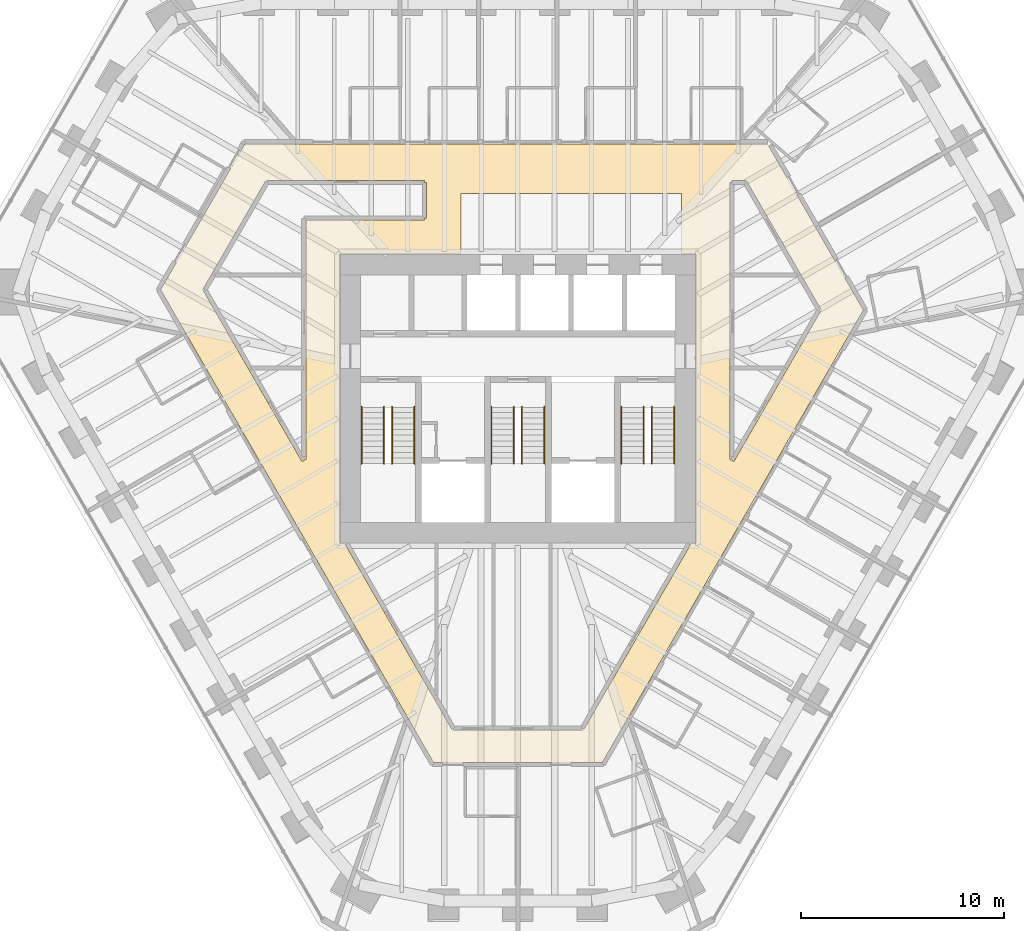
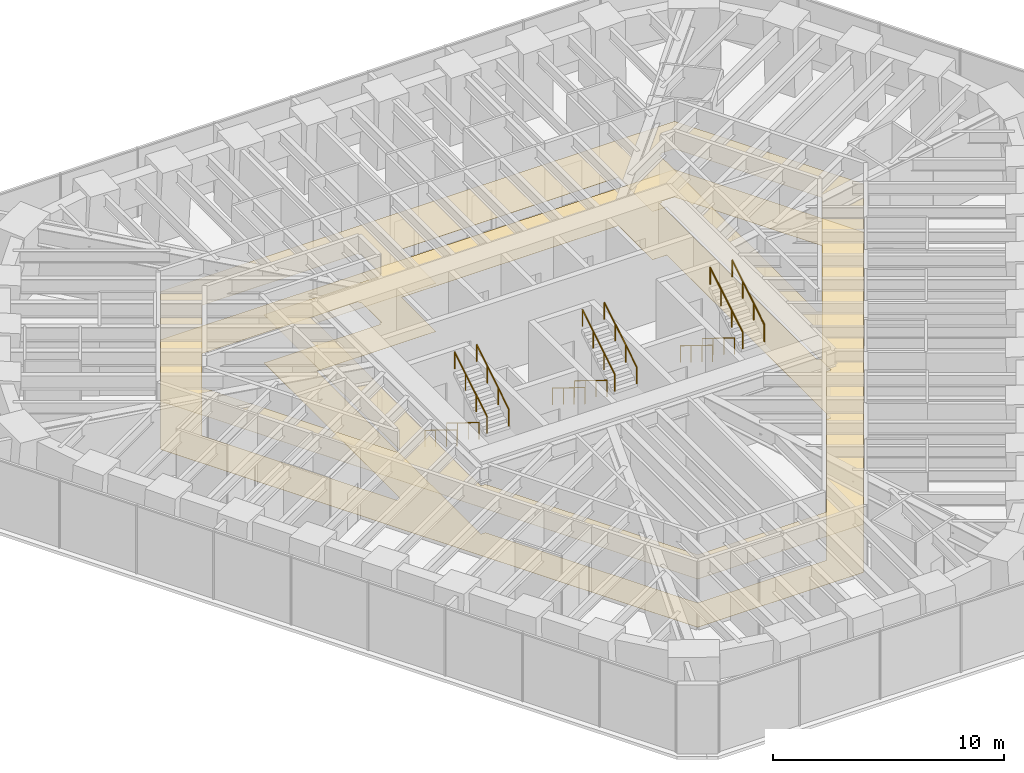
# One storey, part 17 of 17: 12 railings, 2 coverings.
"""IFC4 building model written with IfcOpenShell, lengths in metres."""

from ifc_helpers import new_model, si_unit, direction, frame, origin, origin_2d, place, context, subcontext, project, spatial, polyline, circle, outline, extrude, material, layer, layer_set, type_object, element, save


model = new_model("IFC4")

# Units and contexts
model_context = context("Model", 3, precision=1e-05, world=origin(), true_north=direction((0.0, 1.0)))
body_context = subcontext(model_context, "Body", "Model", "MODEL_VIEW")
ifc_project = project(units=[si_unit("LENGTHUNIT", "METRE"), si_unit("AREAUNIT", "SQUARE_METRE"), si_unit("VOLUMEUNIT", "CUBIC_METRE"), si_unit("PLANEANGLEUNIT", "RADIAN"), si_unit("MASSUNIT", "GRAM", prefix="KILO")], contexts=[model_context])

# Site, building, storey
site_placement = place(None, origin())
site = spatial("IfcSite", under=ifc_project, at=site_placement, CompositionType="ELEMENT")
building_placement = place(site_placement, origin())
building = spatial("IfcBuilding", under=site, at=building_placement, Name="Sandreach Pilgrim Tower", CompositionType="ELEMENT")
storey_placement = place(building_placement, frame((0.0, 0.0, 236.39990234375)))
storey = spatial("IfcBuildingStorey", under=building, at=storey_placement, Name="L59", CompositionType="ELEMENT", Elevation=236.39990234375)

# Coverings
ifc_material_1 = material(Name="Nylon carpet tile on the slab", Category="textile")
ifc_layer_1 = layer(ifc_material_1, 0.008056640625)
ifc_layer_set_1 = layer_set([ifc_layer_1], Name="Carpet tile")
covering_type_1 = type_object("IfcCoveringType", Name="Carpet tile", PredefinedType="FLOORING", material=ifc_layer_set_1)
covering_1_placement = place(storey_placement, origin())
element("IfcCovering", 1, at=covering_1_placement, inside=storey, type_object=covering_type_1, Name="Floor finish 59C Corridor 59", PredefinedType="FLOORING", context=body_context, shape_type="SweptSolid", body=[
    extrude(outline(polyline([(-4.15234375, -17.929931640625), (-17.6044921875, 5.369873046875), (-13.445068359375, 12.56005859375), (12.292236328125, 12.56005859375), (17.0244140625, 4.369873046875), (4.15234375, -17.929931640625), (-4.15234375, -17.929931640625)]), holes=[polyline([(10.449951171875, 10.659912109375), (10.449951171875, -2.9921875), (10.63671875, -3.10009765625), (14.945556640625, 4.370361328125), (11.247802734375, 10.760009765625), (10.56005859375, 10.760009765625), (10.56005859375, 10.66015625), (10.449951171875, 10.659912109375)]), polyline([(-3.227783203125, -16.330078125), (3.227783203125, -16.330078125), (8.542724609375, -7.1201171875), (8.77001953125, -7.1201171875), (8.77001953125, 7.1201171875), (8.050048828125, 7.1201171875), (8.050048828125, 10.10009765625), (-2.800048828125, 10.10009765625), (-2.800048828125, 7.1201171875), (-8.77001953125, 7.1201171875), (-8.77001953125, -7.1201171875), (-8.542724609375, -7.1201171875), (-3.227783203125, -16.330078125)]), polyline([(-15.525634765625, 5.370361328125), (-10.636474609375, -3.10009765625), (-10.449951171875, -2.9921875), (-10.449951171875, 8.800048828125), (-4.60009765625, 8.800048828125), (-4.60009765625, 8.909912109375), (-4.5, 8.909912109375), (-4.5, 10.64990234375), (-4.60009765625, 10.64990234375), (-4.60009765625, 10.760009765625), (-12.40771484375, 10.760009765625), (-15.525634765625, 5.370361328125)])]), origin(), (0.0, 0.0, 1.0), 0.008056640625),
])
ifc_material_2 = material(Name="Gypsum board suspended ceiling on a steel grid", Category="steel")
ifc_layer_2 = layer(ifc_material_2, 0.012939453125)
ifc_layer_set_2 = layer_set([ifc_layer_2], Name="Gypsum board suspended ceiling")
covering_type_2 = type_object("IfcCoveringType", Name="Gypsum board suspended ceiling", PredefinedType="CEILING", material=ifc_layer_set_2)
covering_2_placement = place(storey_placement, frame((0.0, 0.0, 2.550048828125)))
element("IfcCovering", 2, at=covering_2_placement, inside=storey, type_object=covering_type_2, Name="Ceiling 59C Corridor 59", PredefinedType="CEILING", context=body_context, shape_type="SweptSolid", body=[
    extrude(outline(polyline([(-4.15234375, -17.929931640625), (-17.6044921875, 5.369873046875), (-13.445068359375, 12.56005859375), (12.292236328125, 12.56005859375), (17.0244140625, 4.369873046875), (4.15234375, -17.929931640625), (-4.15234375, -17.929931640625)]), holes=[polyline([(10.449951171875, 10.659912109375), (10.449951171875, -2.9921875), (10.63671875, -3.10009765625), (14.945556640625, 4.370361328125), (11.247802734375, 10.760009765625), (10.56005859375, 10.760009765625), (10.56005859375, 10.66015625), (10.449951171875, 10.659912109375)]), polyline([(-3.227783203125, -16.330078125), (3.227783203125, -16.330078125), (8.542724609375, -7.1201171875), (8.77001953125, -7.1201171875), (8.77001953125, 7.1201171875), (8.050048828125, 7.1201171875), (8.050048828125, 10.10009765625), (-2.800048828125, 10.10009765625), (-2.800048828125, 7.1201171875), (-8.77001953125, 7.1201171875), (-8.77001953125, -7.1201171875), (-8.542724609375, -7.1201171875), (-3.227783203125, -16.330078125)]), polyline([(-15.525634765625, 5.370361328125), (-10.636474609375, -3.10009765625), (-10.449951171875, -2.9921875), (-10.449951171875, 8.800048828125), (-4.60009765625, 8.800048828125), (-4.60009765625, 8.909912109375), (-4.5, 8.909912109375), (-4.5, 10.64990234375), (-4.60009765625, 10.64990234375), (-4.60009765625, 10.760009765625), (-12.40771484375, 10.760009765625), (-15.525634765625, 5.370361328125)])]), origin(), (0.0, 0.0, 1.0), 0.012939453125),
])

# Railings
ifc_material_3 = material(Name="Stainless steel tube", Category="steel")
railing_type = type_object("IfcRailingType", Name="Stair handrail", PredefinedType="HANDRAIL", material=ifc_material_3)
for number, where, name in (
    (3, (-6.60009765625, -0.39990234375, 0.1728515625), "Handrail ST1 L59 flight 1"),
    (4, (-7.699951171875, -0.39990234375, 0.1728515625), "Handrail ST1 L59 flight 1"),
):
    element("IfcRailing", number, at=place(storey_placement, frame(where)), inside=storey, type_object=railing_type, Name=name, PredefinedType="HANDRAIL", context=body_context, shape_type="SweptSolid", body=[
        extrude(circle(Radius=0.02392578125, at=origin_2d()), frame((0.0, 0.0, 0.8759765625), z_axis=(0.0, -0.851089632645, 0.525020415988), x_axis=(1.0, 0.0, 0.0)), (0.0, 0.0, 1.0), 3.2900390625),
        extrude(circle(Radius=0.02099609375, at=origin_2d()), origin(), (0.0, 0.0, 1.0), 0.851806640625),
        extrude(circle(Radius=0.02099609375, at=origin_2d()), frame((0.0, -0.933349609375, 0.57568359375)), (0.0, 0.0, 1.0), 0.851806640625),
        extrude(circle(Radius=0.02099609375, at=origin_2d()), frame((0.0, -1.86669921875, 1.151611328125)), (0.0, 0.0, 1.0), 0.851806640625),
        extrude(circle(Radius=0.02099609375, at=origin_2d()), frame((0.0, -2.800048828125, 1.727294921875)), (0.0, 0.0, 1.0), 0.851806640625),
    ])
for number, where, name in (
    (5, (-6.199951171875, -3.199951171875, 2.07275390625), "Handrail ST1 L59 flight 2"),
    (6, (-5.10009765625, -3.199951171875, 2.07275390625), "Handrail ST1 L59 flight 2"),
):
    element("IfcRailing", number, at=place(storey_placement, frame(where)), inside=storey, type_object=railing_type, Name=name, PredefinedType="HANDRAIL", context=body_context, shape_type="SweptSolid", body=[
        extrude(circle(Radius=0.02392578125, at=origin_2d()), frame((0.0, 0.0, 0.8759765625), z_axis=(0.0, 0.851089632645, 0.525020415988), x_axis=(-1.0, 0.0, 0.0)), (0.0, 0.0, 1.0), 3.2900390625),
        extrude(circle(Radius=0.02099609375, at=origin_2d()), origin(), (0.0, 0.0, 1.0), 0.851806640625),
        extrude(circle(Radius=0.02099609375, at=origin_2d()), frame((0.0, 0.933349609375, 0.57568359375)), (0.0, 0.0, 1.0), 0.851806640625),
        extrude(circle(Radius=0.02099609375, at=origin_2d()), frame((0.0, 1.86669921875, 1.151611328125)), (0.0, 0.0, 1.0), 0.851806640625),
        extrude(circle(Radius=0.02099609375, at=origin_2d()), frame((0.0, 2.800048828125, 1.727294921875)), (0.0, 0.0, 1.0), 0.851806640625),
    ])
for number, where, name in (
    (7, (-0.199951171875, -0.39990234375, 0.1728515625), "Handrail ST3 L59 flight 1"),
    (8, (-1.300048828125, -0.39990234375, 0.1728515625), "Handrail ST3 L59 flight 1"),
):
    element("IfcRailing", number, at=place(storey_placement, frame(where)), inside=storey, type_object=railing_type, Name=name, PredefinedType="HANDRAIL", context=body_context, shape_type="SweptSolid", body=[
        extrude(circle(Radius=0.02392578125, at=origin_2d()), frame((0.0, 0.0, 0.8759765625), z_axis=(0.0, -0.851089632645, 0.525020415988), x_axis=(1.0, 0.0, 0.0)), (0.0, 0.0, 1.0), 3.2900390625),
        extrude(circle(Radius=0.02099609375, at=origin_2d()), origin(), (0.0, 0.0, 1.0), 0.851806640625),
        extrude(circle(Radius=0.02099609375, at=origin_2d()), frame((0.0, -0.933349609375, 0.57568359375)), (0.0, 0.0, 1.0), 0.851806640625),
        extrude(circle(Radius=0.02099609375, at=origin_2d()), frame((0.0, -1.86669921875, 1.151611328125)), (0.0, 0.0, 1.0), 0.851806640625),
        extrude(circle(Radius=0.02099609375, at=origin_2d()), frame((0.0, -2.800048828125, 1.727294921875)), (0.0, 0.0, 1.0), 0.851806640625),
    ])
for number, where, name in (
    (9, (0.199951171875, -3.199951171875, 2.07275390625), "Handrail ST3 L59 flight 2"),
    (10, (1.300048828125, -3.199951171875, 2.07275390625), "Handrail ST3 L59 flight 2"),
):
    element("IfcRailing", number, at=place(storey_placement, frame(where)), inside=storey, type_object=railing_type, Name=name, PredefinedType="HANDRAIL", context=body_context, shape_type="SweptSolid", body=[
        extrude(circle(Radius=0.02392578125, at=origin_2d()), frame((0.0, 0.0, 0.8759765625), z_axis=(0.0, 0.851089632645, 0.525020415988), x_axis=(-1.0, 0.0, 0.0)), (0.0, 0.0, 1.0), 3.2900390625),
        extrude(circle(Radius=0.02099609375, at=origin_2d()), origin(), (0.0, 0.0, 1.0), 0.851806640625),
        extrude(circle(Radius=0.02099609375, at=origin_2d()), frame((0.0, 0.933349609375, 0.57568359375)), (0.0, 0.0, 1.0), 0.851806640625),
        extrude(circle(Radius=0.02099609375, at=origin_2d()), frame((0.0, 1.86669921875, 1.151611328125)), (0.0, 0.0, 1.0), 0.851806640625),
        extrude(circle(Radius=0.02099609375, at=origin_2d()), frame((0.0, 2.800048828125, 1.727294921875)), (0.0, 0.0, 1.0), 0.851806640625),
    ])
for number, where, name in (
    (11, (6.199951171875, -0.39990234375, 0.1728515625), "Handrail ST2 L59 flight 1"),
    (12, (5.10009765625, -0.39990234375, 0.1728515625), "Handrail ST2 L59 flight 1"),
):
    element("IfcRailing", number, at=place(storey_placement, frame(where)), inside=storey, type_object=railing_type, Name=name, PredefinedType="HANDRAIL", context=body_context, shape_type="SweptSolid", body=[
        extrude(circle(Radius=0.02392578125, at=origin_2d()), frame((0.0, 0.0, 0.8759765625), z_axis=(0.0, -0.851089632645, 0.525020415988), x_axis=(1.0, 0.0, 0.0)), (0.0, 0.0, 1.0), 3.2900390625),
        extrude(circle(Radius=0.02099609375, at=origin_2d()), origin(), (0.0, 0.0, 1.0), 0.851806640625),
        extrude(circle(Radius=0.02099609375, at=origin_2d()), frame((0.0, -0.933349609375, 0.57568359375)), (0.0, 0.0, 1.0), 0.851806640625),
        extrude(circle(Radius=0.02099609375, at=origin_2d()), frame((0.0, -1.86669921875, 1.151611328125)), (0.0, 0.0, 1.0), 0.851806640625),
        extrude(circle(Radius=0.02099609375, at=origin_2d()), frame((0.0, -2.800048828125, 1.727294921875)), (0.0, 0.0, 1.0), 0.851806640625),
    ])
for number, where, name in (
    (13, (6.60009765625, -3.199951171875, 2.07275390625), "Handrail ST2 L59 flight 2"),
    (14, (7.699951171875, -3.199951171875, 2.07275390625), "Handrail ST2 L59 flight 2"),
):
    element("IfcRailing", number, at=place(storey_placement, frame(where)), inside=storey, type_object=railing_type, Name=name, PredefinedType="HANDRAIL", context=body_context, shape_type="SweptSolid", body=[
        extrude(circle(Radius=0.02392578125, at=origin_2d()), frame((0.0, 0.0, 0.8759765625), z_axis=(0.0, 0.851089632645, 0.525020415988), x_axis=(-1.0, 0.0, 0.0)), (0.0, 0.0, 1.0), 3.2900390625),
        extrude(circle(Radius=0.02099609375, at=origin_2d()), origin(), (0.0, 0.0, 1.0), 0.851806640625),
        extrude(circle(Radius=0.02099609375, at=origin_2d()), frame((0.0, 0.933349609375, 0.57568359375)), (0.0, 0.0, 1.0), 0.851806640625),
        extrude(circle(Radius=0.02099609375, at=origin_2d()), frame((0.0, 1.86669921875, 1.151611328125)), (0.0, 0.0, 1.0), 0.851806640625),
        extrude(circle(Radius=0.02099609375, at=origin_2d()), frame((0.0, 2.800048828125, 1.727294921875)), (0.0, 0.0, 1.0), 0.851806640625),
    ])

save(model, "model.ifc")
